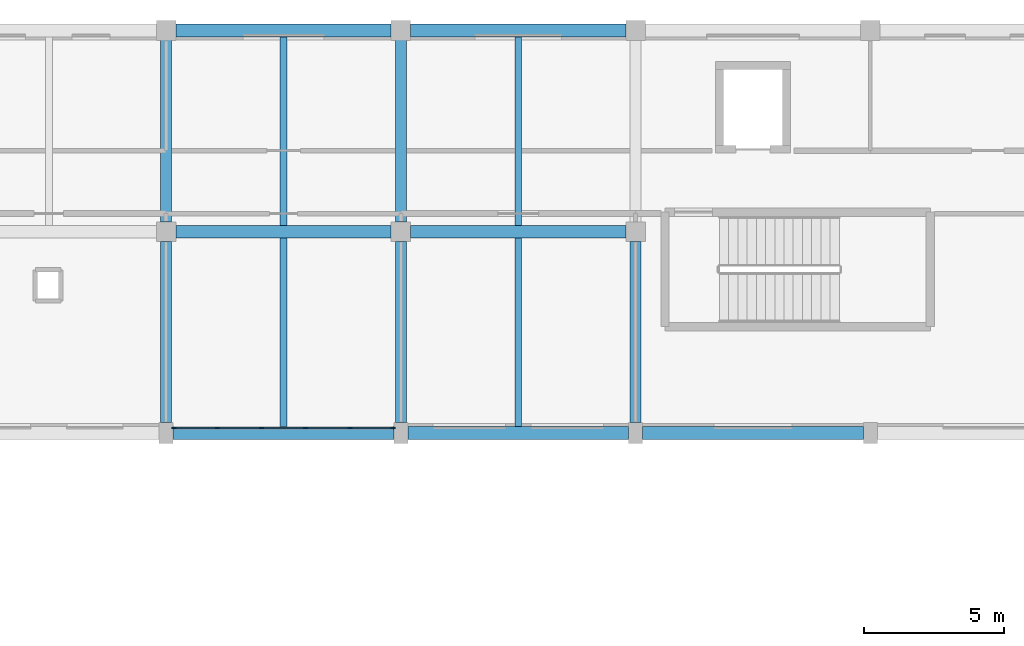
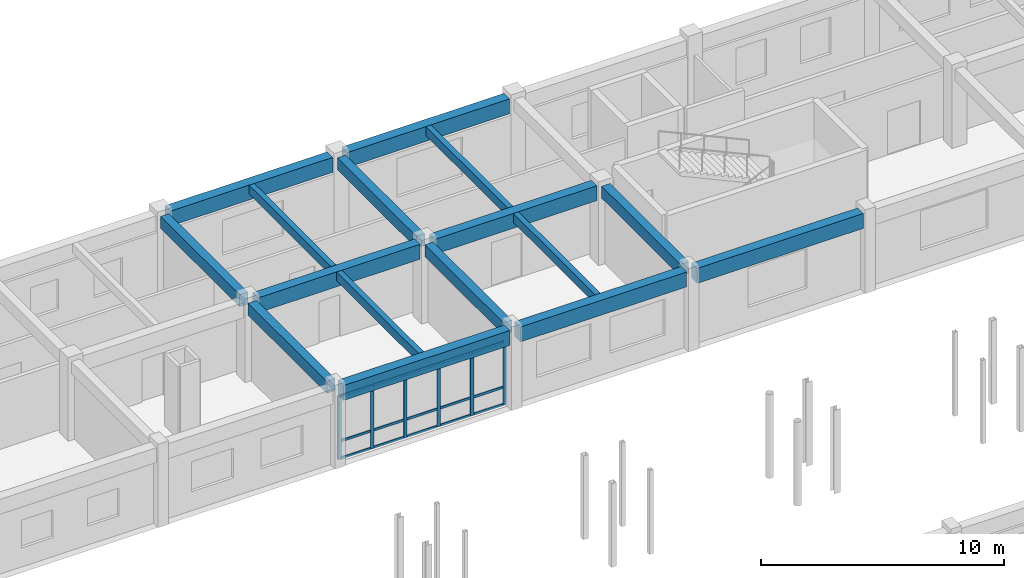
# One storey, part 43 of 90: 21 members, 16 beams, 1 element without a shape of its own.
"""IFC4 building model written with IfcOpenShell, lengths in metres."""

from ifc_helpers import new_model, si_unit, direction, frame, origin, origin_2d, place, context, subcontext, project, spatial, rectangle, extrude, material, material_profile, profile_set, type_object, element, aggregate, save


model = new_model("IFC4")

# Units and contexts
model_context = context("Model", 3, precision=1e-05, world=origin(), true_north=direction((0.0, 1.0)))
body_context = subcontext(model_context, "Body", "Model", "MODEL_VIEW")
ifc_project = project(units=[si_unit("LENGTHUNIT", "METRE"), si_unit("AREAUNIT", "SQUARE_METRE"), si_unit("VOLUMEUNIT", "CUBIC_METRE"), si_unit("PLANEANGLEUNIT", "RADIAN"), si_unit("MASSUNIT", "GRAM", prefix="KILO")], contexts=[model_context])

# Site, building, storey
site_placement = place(None, origin())
site = spatial("IfcSite", under=ifc_project, at=site_placement, CompositionType="ELEMENT")
building_placement = place(site_placement, origin())
building = spatial("IfcBuilding", under=site, at=building_placement, Name="Malvenik Polytechnic", CompositionType="ELEMENT")
storey_placement = place(building_placement, frame((0.0, 0.0, 9.300048828125)))
storey = spatial("IfcBuildingStorey", under=building, at=storey_placement, Name="L02", CompositionType="ELEMENT", Elevation=9.300048828125)

# Curtain wall, members
ifc_material_1 = material(Name="Anodised aluminium 6060-T6", Category="aluminium")
curtain_wall_type = type_object("IfcCurtainWallType", Name="ARC-CW-CW-03", PredefinedType="NOTDEFINED", material=ifc_material_1)
curtain_wall_placement = place(storey_placement, origin())
curtain_wall = element("IfcCurtainWall", 1, at=curtain_wall_placement, inside=storey, type_object=curtain_wall_type, Name="Unitised Curtain Wall CW-03 L02 #161", PredefinedType="NOTDEFINED")
ifc_material_2 = material(Name="Anodised aluminium", Category="aluminium")
ifc_material_profile_1 = material_profile(ifc_material_2, rectangle(XDim=0.06005859375, YDim=0.159912109375, at=origin_2d()), Name="ALU MULLION 60x160")
ifc_profile_set_1 = profile_set([ifc_material_profile_1], Name="Anodised aluminium")
member_type_1 = type_object("IfcMemberType", Name="ARC-CWM-160", PredefinedType="MULLION", material=ifc_profile_set_1)
member_1_placement = place(storey_placement, frame((41.721923828125, 115.3701171875, 0.0), z_axis=(0.0, 0.0, 1.0), x_axis=(0.0, -1.0, 0.0)))
member_1 = element("IfcMember", 2, at=member_1_placement, type_object=member_type_1, Name="CW-03 mullion 1", PredefinedType="MULLION", context=body_context, shape_type="SweptSolid", body=[
    extrude(rectangle(XDim=0.06005859375, YDim=0.159912109375, at=origin_2d()), origin(), (0.0, 0.0, 1.0), 3.179931640625),
])
member_2_placement = place(storey_placement, frame((40.171142578125, 115.3701171875, 0.0), z_axis=(0.0, 0.0, 1.0), x_axis=(0.0, -1.0, 0.0)))
member_2 = element("IfcMember", 3, at=member_2_placement, type_object=member_type_1, Name="CW-03 mullion 2", PredefinedType="MULLION", context=body_context, shape_type="SweptSolid", body=[
    extrude(rectangle(XDim=0.06005859375, YDim=0.159912109375, at=origin_2d()), origin(), (0.0, 0.0, 1.0), 3.179931640625),
])
member_3_placement = place(storey_placement, frame((38.59033203125, 115.3701171875, 0.0), z_axis=(0.0, 0.0, 1.0), x_axis=(0.0, -1.0, 0.0)))
member_3 = element("IfcMember", 4, at=member_3_placement, type_object=member_type_1, Name="CW-03 mullion 3", PredefinedType="MULLION", context=body_context, shape_type="SweptSolid", body=[
    extrude(rectangle(XDim=0.06005859375, YDim=0.159912109375, at=origin_2d()), origin(), (0.0, 0.0, 1.0), 3.179931640625),
])
member_4_placement = place(storey_placement, frame((37.009521484375, 115.3701171875, 0.0), z_axis=(0.0, 0.0, 1.0), x_axis=(0.0, -1.0, 0.0)))
member_4 = element("IfcMember", 5, at=member_4_placement, type_object=member_type_1, Name="CW-03 mullion 4", PredefinedType="MULLION", context=body_context, shape_type="SweptSolid", body=[
    extrude(rectangle(XDim=0.06005859375, YDim=0.159912109375, at=origin_2d()), origin(), (0.0, 0.0, 1.0), 3.179931640625),
])
member_5_placement = place(storey_placement, frame((35.4287109375, 115.3701171875, 0.0), z_axis=(0.0, 0.0, 1.0), x_axis=(0.0, -1.0, 0.0)))
member_5 = element("IfcMember", 6, at=member_5_placement, type_object=member_type_1, Name="CW-03 mullion 5", PredefinedType="MULLION", context=body_context, shape_type="SweptSolid", body=[
    extrude(rectangle(XDim=0.06005859375, YDim=0.159912109375, at=origin_2d()), origin(), (0.0, 0.0, 1.0), 3.179931640625),
])
member_6_placement = place(storey_placement, frame((33.8779296875, 115.3701171875, 0.0), z_axis=(0.0, 0.0, 1.0), x_axis=(0.0, -1.0, 0.0)))
member_6 = element("IfcMember", 7, at=member_6_placement, type_object=member_type_1, Name="CW-03 mullion 6", PredefinedType="MULLION", context=body_context, shape_type="SweptSolid", body=[
    extrude(rectangle(XDim=0.06005859375, YDim=0.159912109375, at=origin_2d()), origin(), (0.0, 0.0, 1.0), 3.179931640625),
])
ifc_material_profile_2 = material_profile(ifc_material_2, rectangle(XDim=0.06005859375, YDim=0.1201171875, at=origin_2d()), Name="ALU TRANSOM 60x120")
ifc_profile_set_2 = profile_set([ifc_material_profile_2], Name="Anodised aluminium")
member_type_2 = type_object("IfcMemberType", Name="ARC-CWT-120", PredefinedType="USERDEFINED", material=ifc_profile_set_2)
member_7_placement = place(storey_placement, frame((41.69189453125, 115.3701171875, 0.030029296875), z_axis=(-1.0, 0.0, 0.0), x_axis=(0.0, -1.0, 0.0)))
member_7 = element("IfcMember", 8, at=member_7_placement, type_object=member_type_2, Name="CW-03 transom 1.1", ObjectType="TRANSOM", PredefinedType="USERDEFINED", context=body_context, shape_type="SweptSolid", body=[
    extrude(rectangle(XDim=0.06005859375, YDim=0.1201171875, at=origin_2d()), origin(), (0.0, 0.0, 1.0), 1.49072265625),
])
member_8_placement = place(storey_placement, frame((41.69189453125, 115.3701171875, 0.89990234375), z_axis=(-1.0, 0.0, 0.0), x_axis=(0.0, -1.0, 0.0)))
member_8 = element("IfcMember", 9, at=member_8_placement, type_object=member_type_2, Name="CW-03 transom 1.2", ObjectType="TRANSOM", PredefinedType="USERDEFINED", context=body_context, shape_type="SweptSolid", body=[
    extrude(rectangle(XDim=0.06005859375, YDim=0.1201171875, at=origin_2d()), origin(), (0.0, 0.0, 1.0), 1.49072265625),
])
member_9_placement = place(storey_placement, frame((41.69189453125, 115.3701171875, 3.14990234375), z_axis=(-1.0, 0.0, 0.0), x_axis=(0.0, -1.0, 0.0)))
member_9 = element("IfcMember", 10, at=member_9_placement, type_object=member_type_2, Name="CW-03 transom 1.3", ObjectType="TRANSOM", PredefinedType="USERDEFINED", context=body_context, shape_type="SweptSolid", body=[
    extrude(rectangle(XDim=0.06005859375, YDim=0.1201171875, at=origin_2d()), origin(), (0.0, 0.0, 1.0), 1.49072265625),
])
member_10_placement = place(storey_placement, frame((40.14111328125, 115.3701171875, 0.030029296875), z_axis=(-1.0, 0.0, 0.0), x_axis=(0.0, -1.0, 0.0)))
member_10 = element("IfcMember", 11, at=member_10_placement, type_object=member_type_2, Name="CW-03 transom 2.1", ObjectType="TRANSOM", PredefinedType="USERDEFINED", context=body_context, shape_type="SweptSolid", body=[
    extrude(rectangle(XDim=0.06005859375, YDim=0.1201171875, at=origin_2d()), origin(), (0.0, 0.0, 1.0), 1.520751953125),
])
member_11_placement = place(storey_placement, frame((40.14111328125, 115.3701171875, 0.89990234375), z_axis=(-1.0, 0.0, 0.0), x_axis=(0.0, -1.0, 0.0)))
member_11 = element("IfcMember", 12, at=member_11_placement, type_object=member_type_2, Name="CW-03 transom 2.2", ObjectType="TRANSOM", PredefinedType="USERDEFINED", context=body_context, shape_type="SweptSolid", body=[
    extrude(rectangle(XDim=0.06005859375, YDim=0.1201171875, at=origin_2d()), origin(), (0.0, 0.0, 1.0), 1.520751953125),
])
member_12_placement = place(storey_placement, frame((40.14111328125, 115.3701171875, 3.14990234375), z_axis=(-1.0, 0.0, 0.0), x_axis=(0.0, -1.0, 0.0)))
member_12 = element("IfcMember", 13, at=member_12_placement, type_object=member_type_2, Name="CW-03 transom 2.3", ObjectType="TRANSOM", PredefinedType="USERDEFINED", context=body_context, shape_type="SweptSolid", body=[
    extrude(rectangle(XDim=0.06005859375, YDim=0.1201171875, at=origin_2d()), origin(), (0.0, 0.0, 1.0), 1.520751953125),
])
member_13_placement = place(storey_placement, frame((38.560302734375, 115.3701171875, 0.030029296875), z_axis=(-1.0, 0.0, 0.0), x_axis=(0.0, -1.0, 0.0)))
member_13 = element("IfcMember", 14, at=member_13_placement, type_object=member_type_2, Name="CW-03 transom 3.1", ObjectType="TRANSOM", PredefinedType="USERDEFINED", context=body_context, shape_type="SweptSolid", body=[
    extrude(rectangle(XDim=0.06005859375, YDim=0.1201171875, at=origin_2d()), origin(), (0.0, 0.0, 1.0), 1.520751953125),
])
member_14_placement = place(storey_placement, frame((38.560302734375, 115.3701171875, 0.89990234375), z_axis=(-1.0, 0.0, 0.0), x_axis=(0.0, -1.0, 0.0)))
member_14 = element("IfcMember", 15, at=member_14_placement, type_object=member_type_2, Name="CW-03 transom 3.2", ObjectType="TRANSOM", PredefinedType="USERDEFINED", context=body_context, shape_type="SweptSolid", body=[
    extrude(rectangle(XDim=0.06005859375, YDim=0.1201171875, at=origin_2d()), origin(), (0.0, 0.0, 1.0), 1.520751953125),
])
member_15_placement = place(storey_placement, frame((38.560302734375, 115.3701171875, 3.14990234375), z_axis=(-1.0, 0.0, 0.0), x_axis=(0.0, -1.0, 0.0)))
member_15 = element("IfcMember", 16, at=member_15_placement, type_object=member_type_2, Name="CW-03 transom 3.3", ObjectType="TRANSOM", PredefinedType="USERDEFINED", context=body_context, shape_type="SweptSolid", body=[
    extrude(rectangle(XDim=0.06005859375, YDim=0.1201171875, at=origin_2d()), origin(), (0.0, 0.0, 1.0), 1.520751953125),
])
member_16_placement = place(storey_placement, frame((36.9794921875, 115.3701171875, 0.030029296875), z_axis=(-1.0, 0.0, 0.0), x_axis=(0.0, -1.0, 0.0)))
member_16 = element("IfcMember", 17, at=member_16_placement, type_object=member_type_2, Name="CW-03 transom 4.1", ObjectType="TRANSOM", PredefinedType="USERDEFINED", context=body_context, shape_type="SweptSolid", body=[
    extrude(rectangle(XDim=0.06005859375, YDim=0.1201171875, at=origin_2d()), origin(), (0.0, 0.0, 1.0), 1.520751953125),
])
member_17_placement = place(storey_placement, frame((36.9794921875, 115.3701171875, 0.89990234375), z_axis=(-1.0, 0.0, 0.0), x_axis=(0.0, -1.0, 0.0)))
member_17 = element("IfcMember", 18, at=member_17_placement, type_object=member_type_2, Name="CW-03 transom 4.2", ObjectType="TRANSOM", PredefinedType="USERDEFINED", context=body_context, shape_type="SweptSolid", body=[
    extrude(rectangle(XDim=0.06005859375, YDim=0.1201171875, at=origin_2d()), origin(), (0.0, 0.0, 1.0), 1.520751953125),
])
member_18_placement = place(storey_placement, frame((36.9794921875, 115.3701171875, 3.14990234375), z_axis=(-1.0, 0.0, 0.0), x_axis=(0.0, -1.0, 0.0)))
member_18 = element("IfcMember", 19, at=member_18_placement, type_object=member_type_2, Name="CW-03 transom 4.3", ObjectType="TRANSOM", PredefinedType="USERDEFINED", context=body_context, shape_type="SweptSolid", body=[
    extrude(rectangle(XDim=0.06005859375, YDim=0.1201171875, at=origin_2d()), origin(), (0.0, 0.0, 1.0), 1.520751953125),
])
member_19_placement = place(storey_placement, frame((35.398681640625, 115.3701171875, 0.030029296875), z_axis=(-1.0, 0.0, 0.0), x_axis=(0.0, -1.0, 0.0)))
member_19 = element("IfcMember", 20, at=member_19_placement, type_object=member_type_2, Name="CW-03 transom 5.1", ObjectType="TRANSOM", PredefinedType="USERDEFINED", context=body_context, shape_type="SweptSolid", body=[
    extrude(rectangle(XDim=0.06005859375, YDim=0.1201171875, at=origin_2d()), origin(), (0.0, 0.0, 1.0), 1.49072265625),
])
member_20_placement = place(storey_placement, frame((35.398681640625, 115.3701171875, 0.89990234375), z_axis=(-1.0, 0.0, 0.0), x_axis=(0.0, -1.0, 0.0)))
member_20 = element("IfcMember", 21, at=member_20_placement, type_object=member_type_2, Name="CW-03 transom 5.2", ObjectType="TRANSOM", PredefinedType="USERDEFINED", context=body_context, shape_type="SweptSolid", body=[
    extrude(rectangle(XDim=0.06005859375, YDim=0.1201171875, at=origin_2d()), origin(), (0.0, 0.0, 1.0), 1.49072265625),
])
member_21_placement = place(storey_placement, frame((35.398681640625, 115.3701171875, 3.14990234375), z_axis=(-1.0, 0.0, 0.0), x_axis=(0.0, -1.0, 0.0)))
member_21 = element("IfcMember", 22, at=member_21_placement, type_object=member_type_2, Name="CW-03 transom 5.3", ObjectType="TRANSOM", PredefinedType="USERDEFINED", context=body_context, shape_type="SweptSolid", body=[
    extrude(rectangle(XDim=0.06005859375, YDim=0.1201171875, at=origin_2d()), origin(), (0.0, 0.0, 1.0), 1.49072265625),
])
aggregate(curtain_wall, [member_1, member_2, member_3, member_4, member_5, member_6, member_7, member_8, member_9, member_10, member_11, member_12, member_13, member_14, member_15, member_16, member_17, member_18, member_19, member_20, member_21])

# Beams
ifc_material_3 = material(Name="Concrete C35/45", Category="concrete")
ifc_material_profile_3 = material_profile(ifc_material_3, rectangle(XDim=0.449951171875, YDim=0.75, at=origin_2d()), Name="RC BM 450x750")
ifc_profile_set_3 = profile_set([ifc_material_profile_3], Name="Concrete C35/45")
beam_type_1 = type_object("IfcBeamType", Name="STR-BM-B-03", PredefinedType="BEAM", material=ifc_profile_set_3)
for number, where, z_axis, x_axis, name in (
    (23, (33.947998046875, 122.39990234375, 3.56494140625), (1.0, 0.0, 0.0), (0.0, 1.0, 0.0), "Primary Beam B-03 L02 #1439"),
    (24, (42.347900390625, 122.39990234375, 3.56494140625), (1.0, 0.0, 0.0), (0.0, 1.0, 0.0), "Primary Beam B-03 L02 #1440"),
):
    element("IfcBeam", number, at=place(storey_placement, frame(where, z_axis=z_axis, x_axis=x_axis)), inside=storey, type_object=beam_type_1, Name=name, PredefinedType="BEAM", context=body_context, shape_type="SweptSolid", body=[
        extrude(rectangle(XDim=0.449951171875, YDim=0.75, at=origin_2d()), origin(), (0.0, 0.0, 1.0), 7.7041015625),
    ])
ifc_material_profile_4 = material_profile(ifc_material_3, rectangle(XDim=0.39990234375, YDim=0.60009765625, at=origin_2d()), Name="RC BM 400x600")
ifc_profile_set_4 = profile_set([ifc_material_profile_4], Name="Concrete C35/45")
beam_type_2 = type_object("IfcBeamType", Name="STR-BM-B-06", PredefinedType="BEAM", material=ifc_profile_set_4)
beam_1_placement = place(storey_placement, frame((33.60009765625, 115.572998046875, 3.639892578125), z_axis=(0.0, 1.0, 0.0), x_axis=(-1.0, 0.0, 0.0)))
element("IfcBeam", 25, at=beam_1_placement, inside=storey, type_object=beam_type_2, Name="Transverse Beam B-06 L02 #1485", PredefinedType="BEAM", context=body_context, shape_type="SweptSolid", body=[
    extrude(rectangle(XDim=0.39990234375, YDim=0.60009765625, at=origin_2d()), origin(), (0.0, 0.0, 1.0), 6.47900390625),
])
beam_2_placement = place(storey_placement, frame((33.60009765625, 122.748046875, 3.639892578125), z_axis=(0.0, 1.0, 0.0), x_axis=(-1.0, 0.0, 0.0)))
element("IfcBeam", 26, at=beam_2_placement, inside=storey, type_object=beam_type_2, Name="Transverse Beam B-06 L02 #1486", PredefinedType="BEAM", context=body_context, shape_type="SweptSolid", body=[
    extrude(rectangle(XDim=0.39990234375, YDim=0.60009765625, at=origin_2d()), origin(), (0.0, 0.0, 1.0), 6.50390625),
])
beam_3_placement = place(storey_placement, frame((42.0, 115.572998046875, 3.639892578125), z_axis=(0.0, 1.0, 0.0), x_axis=(-1.0, 0.0, 0.0)))
element("IfcBeam", 27, at=beam_3_placement, inside=storey, type_object=beam_type_2, Name="Transverse Beam B-06 L02 #1489", PredefinedType="BEAM", context=body_context, shape_type="SweptSolid", body=[
    extrude(rectangle(XDim=0.39990234375, YDim=0.60009765625, at=origin_2d()), origin(), (0.0, 0.0, 1.0), 6.47900390625),
])
beam_4_placement = place(storey_placement, frame((42.0, 122.748046875, 3.639892578125), z_axis=(0.0, 1.0, 0.0), x_axis=(-1.0, 0.0, 0.0)))
element("IfcBeam", 28, at=beam_4_placement, inside=storey, type_object=beam_type_2, Name="Transverse Beam B-06 L02 #1490", PredefinedType="BEAM", context=body_context, shape_type="SweptSolid", body=[
    extrude(rectangle(XDim=0.39990234375, YDim=0.60009765625, at=origin_2d()), origin(), (0.0, 0.0, 1.0), 6.50390625),
])
beam_5_placement = place(storey_placement, frame((50.39990234375, 115.572998046875, 3.639892578125), z_axis=(0.0, 1.0, 0.0), x_axis=(-1.0, 0.0, 0.0)))
element("IfcBeam", 29, at=beam_5_placement, inside=storey, type_object=beam_type_2, Name="Transverse Beam B-06 L02 #1495", PredefinedType="BEAM", context=body_context, shape_type="SweptSolid", body=[
    extrude(rectangle(XDim=0.39990234375, YDim=0.60009765625, at=origin_2d()), origin(), (0.0, 0.0, 1.0), 6.47900390625),
])
ifc_material_4 = material(Name="Concrete C30/37", Category="concrete")
ifc_material_profile_5 = material_profile(ifc_material_4, rectangle(XDim=0.25, YDim=0.449951171875, at=origin_2d()), Name="RC JST 250x450")
ifc_profile_set_5 = profile_set([ifc_material_profile_5], Name="Concrete C30/37")
beam_type_3 = type_object("IfcBeamType", Name="STR-BM-J-02", PredefinedType="JOIST", material=ifc_profile_set_5)
for number, where, z_axis, x_axis, name in (
    (30, (37.800048828125, 115.427978515625, 3.71484375), (0.0, 1.0, 0.0), (-1.0, 0.0, 0.0), "Secondary Rib Joist J-02 L02 #1573"),
    (31, (37.800048828125, 122.623046875, 3.71484375), (0.0, 1.0, 0.0), (-1.0, 0.0, 0.0), "Secondary Rib Joist J-02 L02 #1574"),
    (32, (46.199951171875, 115.427978515625, 3.71484375), (0.0, 1.0, 0.0), (-1.0, 0.0, 0.0), "Secondary Rib Joist J-02 L02 #1577"),
    (33, (46.199951171875, 122.623046875, 3.71484375), (0.0, 1.0, 0.0), (-1.0, 0.0, 0.0), "Secondary Rib Joist J-02 L02 #1578"),
):
    element("IfcBeam", number, at=place(storey_placement, frame(where, z_axis=z_axis, x_axis=x_axis)), inside=storey, type_object=beam_type_3, Name=name, PredefinedType="JOIST", context=body_context, shape_type="SweptSolid", body=[
        extrude(rectangle(XDim=0.25, YDim=0.449951171875, at=origin_2d()), origin(), (0.0, 0.0, 1.0), 6.7490234375),
    ])
ifc_material_5 = material(Name="Precast concrete C40/50", Category="concrete")
ifc_material_profile_6 = material_profile(ifc_material_5, rectangle(XDim=0.4599609375, YDim=0.75, at=origin_2d()), Name="PC SPN 460x750")
ifc_profile_set_6 = profile_set([ifc_material_profile_6], Name="Precast concrete C40/50")
beam_type_4 = type_object("IfcBeamType", Name="STR-BM-SP-02", PredefinedType="SPANDREL", material=ifc_profile_set_6)
for number, where, z_axis, x_axis, name in (
    (34, (33.847900390625, 115.199951171875, 3.56494140625), (1.0, 0.0, 0.0), (0.0, 1.0, 0.0), "Primary Beam SP-02 L02 #1425"),
    (35, (42.248046875, 115.199951171875, 3.56494140625), (1.0, 0.0, 0.0), (0.0, 1.0, 0.0), "Primary Beam SP-02 L02 #1426"),
    (36, (50.64794921875, 115.199951171875, 3.56494140625), (1.0, 0.0, 0.0), (0.0, 1.0, 0.0), "Primary Beam SP-02 L02 #1427"),
):
    element("IfcBeam", number, at=place(storey_placement, frame(where, z_axis=z_axis, x_axis=x_axis)), inside=storey, type_object=beam_type_4, Name=name, PredefinedType="SPANDREL", context=body_context, shape_type="SweptSolid", body=[
        extrude(rectangle(XDim=0.4599609375, YDim=0.75, at=origin_2d()), origin(), (0.0, 0.0, 1.0), 7.904052734375),
    ])
for number, where, z_axis, x_axis, name in (
    (37, (33.947998046875, 129.60009765625, 3.56494140625), (1.0, 0.0, 0.0), (0.0, 1.0, 0.0), "Primary Beam SP-02 L02 #1451"),
    (38, (42.347900390625, 129.60009765625, 3.56494140625), (1.0, 0.0, 0.0), (0.0, 1.0, 0.0), "Primary Beam SP-02 L02 #1452"),
):
    element("IfcBeam", number, at=place(storey_placement, frame(where, z_axis=z_axis, x_axis=x_axis)), inside=storey, type_object=beam_type_4, Name=name, PredefinedType="SPANDREL", context=body_context, shape_type="SweptSolid", body=[
        extrude(rectangle(XDim=0.4599609375, YDim=0.75, at=origin_2d()), origin(), (0.0, 0.0, 1.0), 7.7041015625),
    ])

save(model, "model.ifc")
